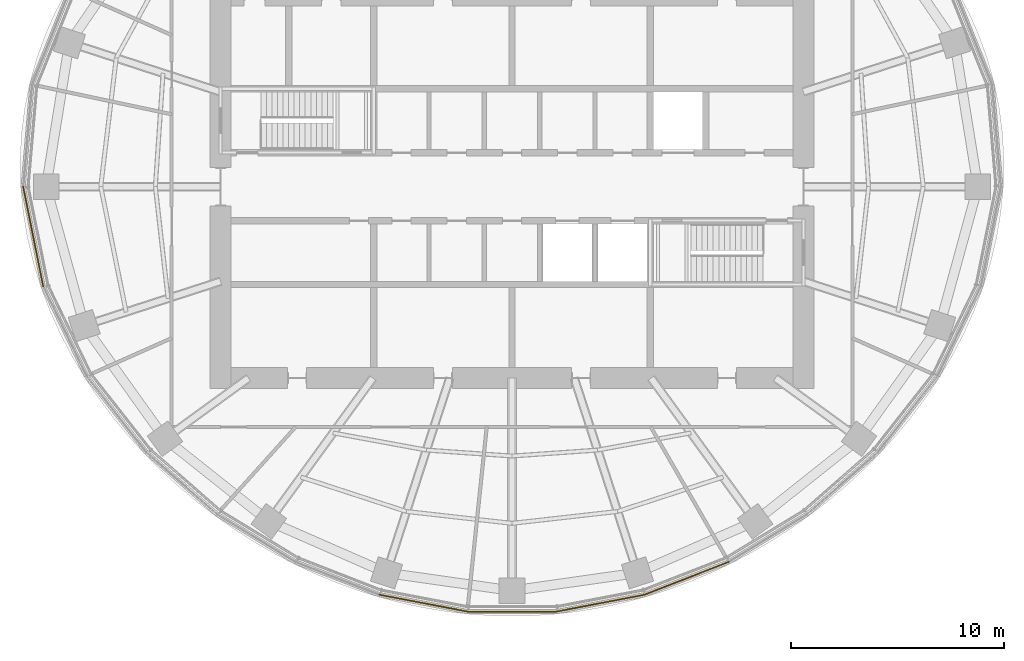
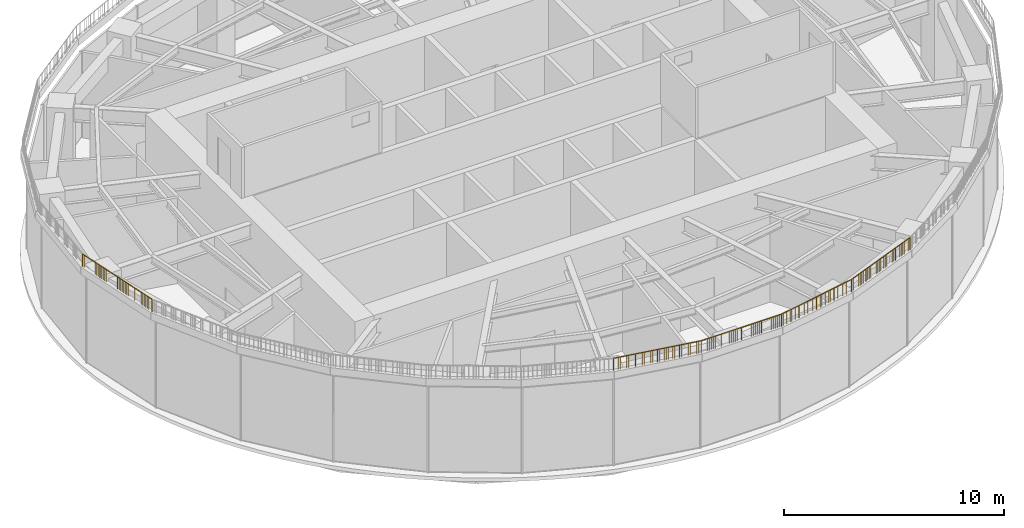
# One storey, part 14 of 19: 5 railings.
"""IFC4 building model written with IfcOpenShell, lengths in metres."""

from ifc_helpers import new_model, si_unit, direction, frame, origin, origin_2d, place, context, subcontext, project, spatial, circle, extrude, material, type_object, element, save


model = new_model("IFC4")

# Units and contexts
model_context = context("Model", 3, precision=1e-05, world=origin(), true_north=direction((0.0, 1.0)))
body_context = subcontext(model_context, "Body", "Model", "MODEL_VIEW")
ifc_project = project(units=[si_unit("LENGTHUNIT", "METRE"), si_unit("AREAUNIT", "SQUARE_METRE"), si_unit("VOLUMEUNIT", "CUBIC_METRE"), si_unit("PLANEANGLEUNIT", "RADIAN"), si_unit("MASSUNIT", "GRAM", prefix="KILO")], contexts=[model_context])

# Site, building, storey
site_placement = place(None, origin())
site = spatial("IfcSite", under=ifc_project, at=site_placement, CompositionType="ELEMENT")
building_placement = place(site_placement, origin())
building = spatial("IfcBuilding", under=site, at=building_placement, Name="Marramba Exchange Tower", CompositionType="ELEMENT")
storey_placement = place(building_placement, frame((0.0, 0.0, 277.0)))
storey = spatial("IfcBuildingStorey", under=building, at=storey_placement, Name="L67", CompositionType="ELEMENT", Elevation=277.0)

# Railings
ifc_material = material(Name="Galvanised steel guardrail", Category="steel")
railing_type = type_object("IfcRailingType", Name="Roof guardrail 1100", PredefinedType="GUARDRAIL", material=ifc_material)
railing_1_placement = place(storey_placement, frame((-22.97998046875, 0.0, 5.39990234375)))
element("IfcRailing", 1, at=railing_1_placement, inside=storey, type_object=railing_type, Name="Roof guard Roof crown F16", PredefinedType="GUARDRAIL", context=body_context, shape_type="SweptSolid", body=[
    extrude(circle(Radius=0.02392578125, at=origin_2d()), frame((0.0, 0.0, 0.67578125), z_axis=(0.196715481336, -0.980460615937, 0.0), x_axis=(0.980460615937, 0.196715481336, 0.0)), (0.0, 0.0, 1.0), 4.778076171875),
    extrude(circle(Radius=0.02099609375, at=origin_2d()), origin(), (0.0, 0.0, 1.0), 0.65185546875),
    extrude(circle(Radius=0.02099609375, at=origin_2d()), frame((0.23486328125, -1.171142578125, 0.0)), (0.0, 0.0, 1.0), 0.65185546875),
    extrude(circle(Radius=0.02099609375, at=origin_2d()), frame((0.469970703125, -2.34228515625, 0.0)), (0.0, 0.0, 1.0), 0.65185546875),
    extrude(circle(Radius=0.02099609375, at=origin_2d()), frame((0.705078125, -3.513671875, 0.0)), (0.0, 0.0, 1.0), 0.65185546875),
    extrude(circle(Radius=0.02099609375, at=origin_2d()), frame((0.93994140625, -4.684814453125, 0.0)), (0.0, 0.0, 1.0), 0.65185546875),
    extrude(circle(Radius=0.006103515625, at=origin_2d()), frame((0.023681640625, -0.118408203125, 0.0)), (0.0, 0.0, 1.0), 0.65185546875),
    extrude(circle(Radius=0.006103515625, at=origin_2d()), frame((0.044677734375, -0.222412109375, 0.0)), (0.0, 0.0, 1.0), 0.65185546875),
    extrude(circle(Radius=0.006103515625, at=origin_2d()), frame((0.0654296875, -0.326171875, 0.0)), (0.0, 0.0, 1.0), 0.65185546875),
    extrude(circle(Radius=0.006103515625, at=origin_2d()), frame((0.086181640625, -0.429931640625, 0.0)), (0.0, 0.0, 1.0), 0.65185546875),
    extrude(circle(Radius=0.006103515625, at=origin_2d()), frame((0.107177734375, -0.53369140625, 0.0)), (0.0, 0.0, 1.0), 0.65185546875),
    extrude(circle(Radius=0.006103515625, at=origin_2d()), frame((0.1279296875, -0.637451171875, 0.0)), (0.0, 0.0, 1.0), 0.65185546875),
    extrude(circle(Radius=0.006103515625, at=origin_2d()), frame((0.148681640625, -0.7412109375, 0.0)), (0.0, 0.0, 1.0), 0.65185546875),
    extrude(circle(Radius=0.006103515625, at=origin_2d()), frame((0.169677734375, -0.84521484375, 0.0)), (0.0, 0.0, 1.0), 0.65185546875),
    extrude(circle(Radius=0.006103515625, at=origin_2d()), frame((0.1904296875, -0.948974609375, 0.0)), (0.0, 0.0, 1.0), 0.65185546875),
    extrude(circle(Radius=0.006103515625, at=origin_2d()), frame((0.211181640625, -1.052734375, 0.0)), (0.0, 0.0, 1.0), 0.65185546875),
    extrude(circle(Radius=0.006103515625, at=origin_2d()), frame((0.2587890625, -1.289794921875, 0.0)), (0.0, 0.0, 1.0), 0.65185546875),
    extrude(circle(Radius=0.006103515625, at=origin_2d()), frame((0.279541015625, -1.3935546875, 0.0)), (0.0, 0.0, 1.0), 0.65185546875),
    extrude(circle(Radius=0.006103515625, at=origin_2d()), frame((0.30029296875, -1.497314453125, 0.0)), (0.0, 0.0, 1.0), 0.65185546875),
    extrude(circle(Radius=0.006103515625, at=origin_2d()), frame((0.3212890625, -1.60107421875, 0.0)), (0.0, 0.0, 1.0), 0.65185546875),
    extrude(circle(Radius=0.006103515625, at=origin_2d()), frame((0.342041015625, -1.704833984375, 0.0)), (0.0, 0.0, 1.0), 0.65185546875),
    extrude(circle(Radius=0.006103515625, at=origin_2d()), frame((0.36279296875, -1.80859375, 0.0)), (0.0, 0.0, 1.0), 0.65185546875),
    extrude(circle(Radius=0.006103515625, at=origin_2d()), frame((0.3837890625, -1.91259765625, 0.0)), (0.0, 0.0, 1.0), 0.65185546875),
    extrude(circle(Radius=0.006103515625, at=origin_2d()), frame((0.404541015625, -2.016357421875, 0.0)), (0.0, 0.0, 1.0), 0.65185546875),
    extrude(circle(Radius=0.006103515625, at=origin_2d()), frame((0.42529296875, -2.1201171875, 0.0)), (0.0, 0.0, 1.0), 0.65185546875),
    extrude(circle(Radius=0.006103515625, at=origin_2d()), frame((0.4462890625, -2.223876953125, 0.0)), (0.0, 0.0, 1.0), 0.65185546875),
    extrude(circle(Radius=0.006103515625, at=origin_2d()), frame((0.49365234375, -2.4609375, 0.0)), (0.0, 0.0, 1.0), 0.65185546875),
    extrude(circle(Radius=0.006103515625, at=origin_2d()), frame((0.5146484375, -2.564697265625, 0.0)), (0.0, 0.0, 1.0), 0.65185546875),
    extrude(circle(Radius=0.006103515625, at=origin_2d()), frame((0.535400390625, -2.66845703125, 0.0)), (0.0, 0.0, 1.0), 0.65185546875),
    extrude(circle(Radius=0.006103515625, at=origin_2d()), frame((0.55615234375, -2.772216796875, 0.0)), (0.0, 0.0, 1.0), 0.65185546875),
    extrude(circle(Radius=0.006103515625, at=origin_2d()), frame((0.5771484375, -2.876220703125, 0.0)), (0.0, 0.0, 1.0), 0.65185546875),
    extrude(circle(Radius=0.006103515625, at=origin_2d()), frame((0.597900390625, -2.97998046875, 0.0)), (0.0, 0.0, 1.0), 0.65185546875),
    extrude(circle(Radius=0.006103515625, at=origin_2d()), frame((0.61865234375, -3.083740234375, 0.0)), (0.0, 0.0, 1.0), 0.65185546875),
    extrude(circle(Radius=0.006103515625, at=origin_2d()), frame((0.6396484375, -3.1875, 0.0)), (0.0, 0.0, 1.0), 0.65185546875),
    extrude(circle(Radius=0.006103515625, at=origin_2d()), frame((0.660400390625, -3.291259765625, 0.0)), (0.0, 0.0, 1.0), 0.65185546875),
    extrude(circle(Radius=0.006103515625, at=origin_2d()), frame((0.68115234375, -3.39501953125, 0.0)), (0.0, 0.0, 1.0), 0.65185546875),
    extrude(circle(Radius=0.006103515625, at=origin_2d()), frame((0.728759765625, -3.632080078125, 0.0)), (0.0, 0.0, 1.0), 0.65185546875),
    extrude(circle(Radius=0.006103515625, at=origin_2d()), frame((0.74951171875, -3.73583984375, 0.0)), (0.0, 0.0, 1.0), 0.65185546875),
    extrude(circle(Radius=0.006103515625, at=origin_2d()), frame((0.770263671875, -3.839599609375, 0.0)), (0.0, 0.0, 1.0), 0.65185546875),
    extrude(circle(Radius=0.006103515625, at=origin_2d()), frame((0.791259765625, -3.943603515625, 0.0)), (0.0, 0.0, 1.0), 0.65185546875),
    extrude(circle(Radius=0.006103515625, at=origin_2d()), frame((0.81201171875, -4.04736328125, 0.0)), (0.0, 0.0, 1.0), 0.65185546875),
    extrude(circle(Radius=0.006103515625, at=origin_2d()), frame((0.832763671875, -4.151123046875, 0.0)), (0.0, 0.0, 1.0), 0.65185546875),
    extrude(circle(Radius=0.006103515625, at=origin_2d()), frame((0.853759765625, -4.2548828125, 0.0)), (0.0, 0.0, 1.0), 0.65185546875),
    extrude(circle(Radius=0.006103515625, at=origin_2d()), frame((0.87451171875, -4.358642578125, 0.0)), (0.0, 0.0, 1.0), 0.65185546875),
    extrude(circle(Radius=0.006103515625, at=origin_2d()), frame((0.895263671875, -4.46240234375, 0.0)), (0.0, 0.0, 1.0), 0.65185546875),
    extrude(circle(Radius=0.006103515625, at=origin_2d()), frame((0.916259765625, -4.56640625, 0.0)), (0.0, 0.0, 1.0), 0.65185546875),
])
railing_2_placement = place(storey_placement, frame((-6.2333984375, -19.18408203125, 5.39990234375)))
element("IfcRailing", 2, at=railing_2_placement, inside=storey, type_object=railing_type, Name="Roof guard Roof crown F22", PredefinedType="GUARDRAIL", context=body_context, shape_type="SweptSolid", body=[
    extrude(circle(Radius=0.02392578125, at=origin_2d()), frame((0.0, 0.0, 0.67578125), z_axis=(0.982147668134, -0.188111557274, 0.0), x_axis=(0.188111557274, 0.982147668134, 0.0)), (0.0, 0.0, 1.0), 4.208984375),
    extrude(circle(Radius=0.02099609375, at=origin_2d()), origin(), (0.0, 0.0, 1.0), 0.65185546875),
    extrude(circle(Radius=0.02099609375, at=origin_2d()), frame((1.033447265625, -0.197998046875, 0.0)), (0.0, 0.0, 1.0), 0.65185546875),
    extrude(circle(Radius=0.02099609375, at=origin_2d()), frame((2.06689453125, -0.39599609375, 0.0)), (0.0, 0.0, 1.0), 0.65185546875),
    extrude(circle(Radius=0.02099609375, at=origin_2d()), frame((3.100341796875, -0.59375, 0.0)), (0.0, 0.0, 1.0), 0.65185546875),
    extrude(circle(Radius=0.02099609375, at=origin_2d()), frame((4.1337890625, -0.791748046875, 0.0)), (0.0, 0.0, 1.0), 0.65185546875),
    extrude(circle(Radius=0.006103515625, at=origin_2d()), frame((0.115234375, -0.02197265625, 0.0)), (0.0, 0.0, 1.0), 0.65185546875),
    extrude(circle(Radius=0.006103515625, at=origin_2d()), frame((0.215576171875, -0.041259765625, 0.0)), (0.0, 0.0, 1.0), 0.65185546875),
    extrude(circle(Radius=0.006103515625, at=origin_2d()), frame((0.31591796875, -0.060546875, 0.0)), (0.0, 0.0, 1.0), 0.65185546875),
    extrude(circle(Radius=0.006103515625, at=origin_2d()), frame((0.416259765625, -0.079833984375, 0.0)), (0.0, 0.0, 1.0), 0.65185546875),
    extrude(circle(Radius=0.006103515625, at=origin_2d()), frame((0.5166015625, -0.098876953125, 0.0)), (0.0, 0.0, 1.0), 0.65185546875),
    extrude(circle(Radius=0.006103515625, at=origin_2d()), frame((0.6171875, -0.1181640625, 0.0)), (0.0, 0.0, 1.0), 0.65185546875),
    extrude(circle(Radius=0.006103515625, at=origin_2d()), frame((0.717529296875, -0.137451171875, 0.0)), (0.0, 0.0, 1.0), 0.65185546875),
    extrude(circle(Radius=0.006103515625, at=origin_2d()), frame((0.81787109375, -0.15673828125, 0.0)), (0.0, 0.0, 1.0), 0.65185546875),
    extrude(circle(Radius=0.006103515625, at=origin_2d()), frame((0.918212890625, -0.17578125, 0.0)), (0.0, 0.0, 1.0), 0.65185546875),
    extrude(circle(Radius=0.006103515625, at=origin_2d()), frame((1.148681640625, -0.219970703125, 0.0)), (0.0, 0.0, 1.0), 0.65185546875),
    extrude(circle(Radius=0.006103515625, at=origin_2d()), frame((1.2490234375, -0.2392578125, 0.0)), (0.0, 0.0, 1.0), 0.65185546875),
    extrude(circle(Radius=0.006103515625, at=origin_2d()), frame((1.349365234375, -0.258544921875, 0.0)), (0.0, 0.0, 1.0), 0.65185546875),
    extrude(circle(Radius=0.006103515625, at=origin_2d()), frame((1.44970703125, -0.277587890625, 0.0)), (0.0, 0.0, 1.0), 0.65185546875),
    extrude(circle(Radius=0.006103515625, at=origin_2d()), frame((1.55029296875, -0.296875, 0.0)), (0.0, 0.0, 1.0), 0.65185546875),
    extrude(circle(Radius=0.006103515625, at=origin_2d()), frame((1.650634765625, -0.316162109375, 0.0)), (0.0, 0.0, 1.0), 0.65185546875),
    extrude(circle(Radius=0.006103515625, at=origin_2d()), frame((1.7509765625, -0.33544921875, 0.0)), (0.0, 0.0, 1.0), 0.65185546875),
    extrude(circle(Radius=0.006103515625, at=origin_2d()), frame((1.851318359375, -0.3544921875, 0.0)), (0.0, 0.0, 1.0), 0.65185546875),
    extrude(circle(Radius=0.006103515625, at=origin_2d()), frame((1.95166015625, -0.373779296875, 0.0)), (0.0, 0.0, 1.0), 0.65185546875),
    extrude(circle(Radius=0.006103515625, at=origin_2d()), frame((2.18212890625, -0.41796875, 0.0)), (0.0, 0.0, 1.0), 0.65185546875),
    extrude(circle(Radius=0.006103515625, at=origin_2d()), frame((2.282470703125, -0.437255859375, 0.0)), (0.0, 0.0, 1.0), 0.65185546875),
    extrude(circle(Radius=0.006103515625, at=origin_2d()), frame((2.3828125, -0.456298828125, 0.0)), (0.0, 0.0, 1.0), 0.65185546875),
    extrude(circle(Radius=0.006103515625, at=origin_2d()), frame((2.483154296875, -0.4755859375, 0.0)), (0.0, 0.0, 1.0), 0.65185546875),
    extrude(circle(Radius=0.006103515625, at=origin_2d()), frame((2.58349609375, -0.494873046875, 0.0)), (0.0, 0.0, 1.0), 0.65185546875),
    extrude(circle(Radius=0.006103515625, at=origin_2d()), frame((2.68408203125, -0.51416015625, 0.0)), (0.0, 0.0, 1.0), 0.65185546875),
    extrude(circle(Radius=0.006103515625, at=origin_2d()), frame((2.784423828125, -0.533203125, 0.0)), (0.0, 0.0, 1.0), 0.65185546875),
    extrude(circle(Radius=0.006103515625, at=origin_2d()), frame((2.884765625, -0.552490234375, 0.0)), (0.0, 0.0, 1.0), 0.65185546875),
    extrude(circle(Radius=0.006103515625, at=origin_2d()), frame((2.985107421875, -0.57177734375, 0.0)), (0.0, 0.0, 1.0), 0.65185546875),
    extrude(circle(Radius=0.006103515625, at=origin_2d()), frame((3.215576171875, -0.615966796875, 0.0)), (0.0, 0.0, 1.0), 0.65185546875),
    extrude(circle(Radius=0.006103515625, at=origin_2d()), frame((3.31591796875, -0.635009765625, 0.0)), (0.0, 0.0, 1.0), 0.65185546875),
    extrude(circle(Radius=0.006103515625, at=origin_2d()), frame((3.416259765625, -0.654296875, 0.0)), (0.0, 0.0, 1.0), 0.65185546875),
    extrude(circle(Radius=0.006103515625, at=origin_2d()), frame((3.5166015625, -0.673583984375, 0.0)), (0.0, 0.0, 1.0), 0.65185546875),
    extrude(circle(Radius=0.006103515625, at=origin_2d()), frame((3.6171875, -0.69287109375, 0.0)), (0.0, 0.0, 1.0), 0.65185546875),
    extrude(circle(Radius=0.006103515625, at=origin_2d()), frame((3.717529296875, -0.7119140625, 0.0)), (0.0, 0.0, 1.0), 0.65185546875),
    extrude(circle(Radius=0.006103515625, at=origin_2d()), frame((3.81787109375, -0.731201171875, 0.0)), (0.0, 0.0, 1.0), 0.65185546875),
    extrude(circle(Radius=0.006103515625, at=origin_2d()), frame((3.918212890625, -0.75048828125, 0.0)), (0.0, 0.0, 1.0), 0.65185546875),
    extrude(circle(Radius=0.006103515625, at=origin_2d()), frame((4.0185546875, -0.769775390625, 0.0)), (0.0, 0.0, 1.0), 0.65185546875),
])
railing_3_placement = place(storey_placement, frame((-2.099609375, -19.975830078125, 5.39990234375)))
element("IfcRailing", 3, at=railing_3_placement, inside=storey, type_object=railing_type, Name="Roof guard Roof crown F23", PredefinedType="GUARDRAIL", context=body_context, shape_type="SweptSolid", body=[
    extrude(circle(Radius=0.02392578125, at=origin_2d()), frame((0.0, 0.0, 0.67578125), z_axis=(1.0, 0.0, 0.0), x_axis=(0.0, 1.0, 0.0)), (0.0, 0.0, 1.0), 4.19921875),
    extrude(circle(Radius=0.02099609375, at=origin_2d()), origin(), (0.0, 0.0, 1.0), 0.65185546875),
    extrude(circle(Radius=0.02099609375, at=origin_2d()), frame((1.0498046875, 0.0, 0.0)), (0.0, 0.0, 1.0), 0.65185546875),
    extrude(circle(Radius=0.02099609375, at=origin_2d()), frame((2.099609375, 0.0, 0.0)), (0.0, 0.0, 1.0), 0.65185546875),
    extrude(circle(Radius=0.02099609375, at=origin_2d()), frame((3.1494140625, 0.0, 0.0)), (0.0, 0.0, 1.0), 0.65185546875),
    extrude(circle(Radius=0.02099609375, at=origin_2d()), frame((4.19921875, 0.0, 0.0)), (0.0, 0.0, 1.0), 0.65185546875),
    extrude(circle(Radius=0.006103515625, at=origin_2d()), frame((0.116943359375, 0.0, 0.0)), (0.0, 0.0, 1.0), 0.65185546875),
    extrude(circle(Radius=0.006103515625, at=origin_2d()), frame((0.218994140625, 0.0, 0.0)), (0.0, 0.0, 1.0), 0.65185546875),
    extrude(circle(Radius=0.006103515625, at=origin_2d()), frame((0.321044921875, 0.0, 0.0)), (0.0, 0.0, 1.0), 0.65185546875),
    extrude(circle(Radius=0.006103515625, at=origin_2d()), frame((0.4228515625, 0.0, 0.0)), (0.0, 0.0, 1.0), 0.65185546875),
    extrude(circle(Radius=0.006103515625, at=origin_2d()), frame((0.52490234375, 0.0, 0.0)), (0.0, 0.0, 1.0), 0.65185546875),
    extrude(circle(Radius=0.006103515625, at=origin_2d()), frame((0.626953125, 0.0, 0.0)), (0.0, 0.0, 1.0), 0.65185546875),
    extrude(circle(Radius=0.006103515625, at=origin_2d()), frame((0.728759765625, 0.0, 0.0)), (0.0, 0.0, 1.0), 0.65185546875),
    extrude(circle(Radius=0.006103515625, at=origin_2d()), frame((0.830810546875, 0.0, 0.0)), (0.0, 0.0, 1.0), 0.65185546875),
    extrude(circle(Radius=0.006103515625, at=origin_2d()), frame((0.932861328125, 0.0, 0.0)), (0.0, 0.0, 1.0), 0.65185546875),
    extrude(circle(Radius=0.006103515625, at=origin_2d()), frame((1.166748046875, 0.0, 0.0)), (0.0, 0.0, 1.0), 0.65185546875),
    extrude(circle(Radius=0.006103515625, at=origin_2d()), frame((1.268798828125, 0.0, 0.0)), (0.0, 0.0, 1.0), 0.65185546875),
    extrude(circle(Radius=0.006103515625, at=origin_2d()), frame((1.370849609375, 0.0, 0.0)), (0.0, 0.0, 1.0), 0.65185546875),
    extrude(circle(Radius=0.006103515625, at=origin_2d()), frame((1.47265625, 0.0, 0.0)), (0.0, 0.0, 1.0), 0.65185546875),
    extrude(circle(Radius=0.006103515625, at=origin_2d()), frame((1.57470703125, 0.0, 0.0)), (0.0, 0.0, 1.0), 0.65185546875),
    extrude(circle(Radius=0.006103515625, at=origin_2d()), frame((1.6767578125, 0.0, 0.0)), (0.0, 0.0, 1.0), 0.65185546875),
    extrude(circle(Radius=0.006103515625, at=origin_2d()), frame((1.778564453125, 0.0, 0.0)), (0.0, 0.0, 1.0), 0.65185546875),
    extrude(circle(Radius=0.006103515625, at=origin_2d()), frame((1.880615234375, 0.0, 0.0)), (0.0, 0.0, 1.0), 0.65185546875),
    extrude(circle(Radius=0.006103515625, at=origin_2d()), frame((1.982666015625, 0.0, 0.0)), (0.0, 0.0, 1.0), 0.65185546875),
    extrude(circle(Radius=0.006103515625, at=origin_2d()), frame((2.216552734375, 0.0, 0.0)), (0.0, 0.0, 1.0), 0.65185546875),
    extrude(circle(Radius=0.006103515625, at=origin_2d()), frame((2.318603515625, 0.0, 0.0)), (0.0, 0.0, 1.0), 0.65185546875),
    extrude(circle(Radius=0.006103515625, at=origin_2d()), frame((2.420654296875, 0.0, 0.0)), (0.0, 0.0, 1.0), 0.65185546875),
    extrude(circle(Radius=0.006103515625, at=origin_2d()), frame((2.5224609375, 0.0, 0.0)), (0.0, 0.0, 1.0), 0.65185546875),
    extrude(circle(Radius=0.006103515625, at=origin_2d()), frame((2.62451171875, 0.0, 0.0)), (0.0, 0.0, 1.0), 0.65185546875),
    extrude(circle(Radius=0.006103515625, at=origin_2d()), frame((2.7265625, 0.0, 0.0)), (0.0, 0.0, 1.0), 0.65185546875),
    extrude(circle(Radius=0.006103515625, at=origin_2d()), frame((2.828369140625, 0.0, 0.0)), (0.0, 0.0, 1.0), 0.65185546875),
    extrude(circle(Radius=0.006103515625, at=origin_2d()), frame((2.930419921875, 0.0, 0.0)), (0.0, 0.0, 1.0), 0.65185546875),
    extrude(circle(Radius=0.006103515625, at=origin_2d()), frame((3.032470703125, 0.0, 0.0)), (0.0, 0.0, 1.0), 0.65185546875),
    extrude(circle(Radius=0.006103515625, at=origin_2d()), frame((3.266357421875, 0.0, 0.0)), (0.0, 0.0, 1.0), 0.65185546875),
    extrude(circle(Radius=0.006103515625, at=origin_2d()), frame((3.368408203125, 0.0, 0.0)), (0.0, 0.0, 1.0), 0.65185546875),
    extrude(circle(Radius=0.006103515625, at=origin_2d()), frame((3.470458984375, 0.0, 0.0)), (0.0, 0.0, 1.0), 0.65185546875),
    extrude(circle(Radius=0.006103515625, at=origin_2d()), frame((3.572265625, 0.0, 0.0)), (0.0, 0.0, 1.0), 0.65185546875),
    extrude(circle(Radius=0.006103515625, at=origin_2d()), frame((3.67431640625, 0.0, 0.0)), (0.0, 0.0, 1.0), 0.65185546875),
    extrude(circle(Radius=0.006103515625, at=origin_2d()), frame((3.7763671875, 0.0, 0.0)), (0.0, 0.0, 1.0), 0.65185546875),
    extrude(circle(Radius=0.006103515625, at=origin_2d()), frame((3.878173828125, 0.0, 0.0)), (0.0, 0.0, 1.0), 0.65185546875),
    extrude(circle(Radius=0.006103515625, at=origin_2d()), frame((3.980224609375, 0.0, 0.0)), (0.0, 0.0, 1.0), 0.65185546875),
    extrude(circle(Radius=0.006103515625, at=origin_2d()), frame((4.082275390625, 0.0, 0.0)), (0.0, 0.0, 1.0), 0.65185546875),
])
railing_4_placement = place(storey_placement, frame((2.099609375, -19.975830078125, 5.39990234375)))
element("IfcRailing", 4, at=railing_4_placement, inside=storey, type_object=railing_type, Name="Roof guard Roof crown F24", PredefinedType="GUARDRAIL", context=body_context, shape_type="SweptSolid", body=[
    extrude(circle(Radius=0.02392578125, at=origin_2d()), frame((0.0, 0.0, 0.67578125), z_axis=(0.982147668134, 0.188111557274, 0.0), x_axis=(-0.188111557274, 0.982147668134, 0.0)), (0.0, 0.0, 1.0), 4.208984375),
    extrude(circle(Radius=0.02099609375, at=origin_2d()), origin(), (0.0, 0.0, 1.0), 0.65185546875),
    extrude(circle(Radius=0.02099609375, at=origin_2d()), frame((1.033447265625, 0.197998046875, 0.0)), (0.0, 0.0, 1.0), 0.65185546875),
    extrude(circle(Radius=0.02099609375, at=origin_2d()), frame((2.06689453125, 0.39599609375, 0.0)), (0.0, 0.0, 1.0), 0.65185546875),
    extrude(circle(Radius=0.02099609375, at=origin_2d()), frame((3.100341796875, 0.59375, 0.0)), (0.0, 0.0, 1.0), 0.65185546875),
    extrude(circle(Radius=0.02099609375, at=origin_2d()), frame((4.1337890625, 0.791748046875, 0.0)), (0.0, 0.0, 1.0), 0.65185546875),
    extrude(circle(Radius=0.006103515625, at=origin_2d()), frame((0.115234375, 0.02197265625, 0.0)), (0.0, 0.0, 1.0), 0.65185546875),
    extrude(circle(Radius=0.006103515625, at=origin_2d()), frame((0.215576171875, 0.041259765625, 0.0)), (0.0, 0.0, 1.0), 0.65185546875),
    extrude(circle(Radius=0.006103515625, at=origin_2d()), frame((0.31591796875, 0.060546875, 0.0)), (0.0, 0.0, 1.0), 0.65185546875),
    extrude(circle(Radius=0.006103515625, at=origin_2d()), frame((0.416259765625, 0.079833984375, 0.0)), (0.0, 0.0, 1.0), 0.65185546875),
    extrude(circle(Radius=0.006103515625, at=origin_2d()), frame((0.5166015625, 0.098876953125, 0.0)), (0.0, 0.0, 1.0), 0.65185546875),
    extrude(circle(Radius=0.006103515625, at=origin_2d()), frame((0.6171875, 0.1181640625, 0.0)), (0.0, 0.0, 1.0), 0.65185546875),
    extrude(circle(Radius=0.006103515625, at=origin_2d()), frame((0.717529296875, 0.137451171875, 0.0)), (0.0, 0.0, 1.0), 0.65185546875),
    extrude(circle(Radius=0.006103515625, at=origin_2d()), frame((0.81787109375, 0.15673828125, 0.0)), (0.0, 0.0, 1.0), 0.65185546875),
    extrude(circle(Radius=0.006103515625, at=origin_2d()), frame((0.918212890625, 0.17578125, 0.0)), (0.0, 0.0, 1.0), 0.65185546875),
    extrude(circle(Radius=0.006103515625, at=origin_2d()), frame((1.148681640625, 0.219970703125, 0.0)), (0.0, 0.0, 1.0), 0.65185546875),
    extrude(circle(Radius=0.006103515625, at=origin_2d()), frame((1.2490234375, 0.2392578125, 0.0)), (0.0, 0.0, 1.0), 0.65185546875),
    extrude(circle(Radius=0.006103515625, at=origin_2d()), frame((1.349365234375, 0.258544921875, 0.0)), (0.0, 0.0, 1.0), 0.65185546875),
    extrude(circle(Radius=0.006103515625, at=origin_2d()), frame((1.44970703125, 0.277587890625, 0.0)), (0.0, 0.0, 1.0), 0.65185546875),
    extrude(circle(Radius=0.006103515625, at=origin_2d()), frame((1.55029296875, 0.296875, 0.0)), (0.0, 0.0, 1.0), 0.65185546875),
    extrude(circle(Radius=0.006103515625, at=origin_2d()), frame((1.650634765625, 0.316162109375, 0.0)), (0.0, 0.0, 1.0), 0.65185546875),
    extrude(circle(Radius=0.006103515625, at=origin_2d()), frame((1.7509765625, 0.33544921875, 0.0)), (0.0, 0.0, 1.0), 0.65185546875),
    extrude(circle(Radius=0.006103515625, at=origin_2d()), frame((1.851318359375, 0.3544921875, 0.0)), (0.0, 0.0, 1.0), 0.65185546875),
    extrude(circle(Radius=0.006103515625, at=origin_2d()), frame((1.95166015625, 0.373779296875, 0.0)), (0.0, 0.0, 1.0), 0.65185546875),
    extrude(circle(Radius=0.006103515625, at=origin_2d()), frame((2.18212890625, 0.41796875, 0.0)), (0.0, 0.0, 1.0), 0.65185546875),
    extrude(circle(Radius=0.006103515625, at=origin_2d()), frame((2.282470703125, 0.437255859375, 0.0)), (0.0, 0.0, 1.0), 0.65185546875),
    extrude(circle(Radius=0.006103515625, at=origin_2d()), frame((2.3828125, 0.456298828125, 0.0)), (0.0, 0.0, 1.0), 0.65185546875),
    extrude(circle(Radius=0.006103515625, at=origin_2d()), frame((2.483154296875, 0.4755859375, 0.0)), (0.0, 0.0, 1.0), 0.65185546875),
    extrude(circle(Radius=0.006103515625, at=origin_2d()), frame((2.58349609375, 0.494873046875, 0.0)), (0.0, 0.0, 1.0), 0.65185546875),
    extrude(circle(Radius=0.006103515625, at=origin_2d()), frame((2.68408203125, 0.51416015625, 0.0)), (0.0, 0.0, 1.0), 0.65185546875),
    extrude(circle(Radius=0.006103515625, at=origin_2d()), frame((2.784423828125, 0.533203125, 0.0)), (0.0, 0.0, 1.0), 0.65185546875),
    extrude(circle(Radius=0.006103515625, at=origin_2d()), frame((2.884765625, 0.552490234375, 0.0)), (0.0, 0.0, 1.0), 0.65185546875),
    extrude(circle(Radius=0.006103515625, at=origin_2d()), frame((2.985107421875, 0.57177734375, 0.0)), (0.0, 0.0, 1.0), 0.65185546875),
    extrude(circle(Radius=0.006103515625, at=origin_2d()), frame((3.215576171875, 0.615966796875, 0.0)), (0.0, 0.0, 1.0), 0.65185546875),
    extrude(circle(Radius=0.006103515625, at=origin_2d()), frame((3.31591796875, 0.635009765625, 0.0)), (0.0, 0.0, 1.0), 0.65185546875),
    extrude(circle(Radius=0.006103515625, at=origin_2d()), frame((3.416259765625, 0.654296875, 0.0)), (0.0, 0.0, 1.0), 0.65185546875),
    extrude(circle(Radius=0.006103515625, at=origin_2d()), frame((3.5166015625, 0.673583984375, 0.0)), (0.0, 0.0, 1.0), 0.65185546875),
    extrude(circle(Radius=0.006103515625, at=origin_2d()), frame((3.6171875, 0.69287109375, 0.0)), (0.0, 0.0, 1.0), 0.65185546875),
    extrude(circle(Radius=0.006103515625, at=origin_2d()), frame((3.717529296875, 0.7119140625, 0.0)), (0.0, 0.0, 1.0), 0.65185546875),
    extrude(circle(Radius=0.006103515625, at=origin_2d()), frame((3.81787109375, 0.731201171875, 0.0)), (0.0, 0.0, 1.0), 0.65185546875),
    extrude(circle(Radius=0.006103515625, at=origin_2d()), frame((3.918212890625, 0.75048828125, 0.0)), (0.0, 0.0, 1.0), 0.65185546875),
    extrude(circle(Radius=0.006103515625, at=origin_2d()), frame((4.0185546875, 0.769775390625, 0.0)), (0.0, 0.0, 1.0), 0.65185546875),
])
railing_5_placement = place(storey_placement, frame((6.2333984375, -19.18408203125, 5.39990234375)))
element("IfcRailing", 5, at=railing_5_placement, inside=storey, type_object=railing_type, Name="Roof guard Roof crown F25", PredefinedType="GUARDRAIL", context=body_context, shape_type="SweptSolid", body=[
    extrude(circle(Radius=0.02392578125, at=origin_2d()), frame((0.0, 0.0, 0.67578125), z_axis=(0.931602336342, 0.363479142348, 0.0), x_axis=(-0.363479142348, 0.931602336342, 0.0)), (0.0, 0.0, 1.0), 4.242431640625),
    extrude(circle(Radius=0.02099609375, at=origin_2d()), origin(), (0.0, 0.0, 1.0), 0.65185546875),
    extrude(circle(Radius=0.02099609375, at=origin_2d()), frame((0.988037109375, 0.385498046875, 0.0)), (0.0, 0.0, 1.0), 0.65185546875),
    extrude(circle(Radius=0.02099609375, at=origin_2d()), frame((1.97607421875, 0.77099609375, 0.0)), (0.0, 0.0, 1.0), 0.65185546875),
    extrude(circle(Radius=0.02099609375, at=origin_2d()), frame((2.964111328125, 1.156494140625, 0.0)), (0.0, 0.0, 1.0), 0.65185546875),
    extrude(circle(Radius=0.02099609375, at=origin_2d()), frame((3.9521484375, 1.5419921875, 0.0)), (0.0, 0.0, 1.0), 0.65185546875),
    extrude(circle(Radius=0.006103515625, at=origin_2d()), frame((0.10986328125, 0.04296875, 0.0)), (0.0, 0.0, 1.0), 0.65185546875),
    extrude(circle(Radius=0.006103515625, at=origin_2d()), frame((0.2060546875, 0.080322265625, 0.0)), (0.0, 0.0, 1.0), 0.65185546875),
    extrude(circle(Radius=0.006103515625, at=origin_2d()), frame((0.302001953125, 0.117919921875, 0.0)), (0.0, 0.0, 1.0), 0.65185546875),
    extrude(circle(Radius=0.006103515625, at=origin_2d()), frame((0.39794921875, 0.1552734375, 0.0)), (0.0, 0.0, 1.0), 0.65185546875),
    extrude(circle(Radius=0.006103515625, at=origin_2d()), frame((0.494140625, 0.19287109375, 0.0)), (0.0, 0.0, 1.0), 0.65185546875),
    extrude(circle(Radius=0.006103515625, at=origin_2d()), frame((0.590087890625, 0.230224609375, 0.0)), (0.0, 0.0, 1.0), 0.65185546875),
    extrude(circle(Radius=0.006103515625, at=origin_2d()), frame((0.68603515625, 0.267578125, 0.0)), (0.0, 0.0, 1.0), 0.65185546875),
    extrude(circle(Radius=0.006103515625, at=origin_2d()), frame((0.781982421875, 0.30517578125, 0.0)), (0.0, 0.0, 1.0), 0.65185546875),
    extrude(circle(Radius=0.006103515625, at=origin_2d()), frame((0.878173828125, 0.342529296875, 0.0)), (0.0, 0.0, 1.0), 0.65185546875),
    extrude(circle(Radius=0.006103515625, at=origin_2d()), frame((1.097900390625, 0.428466796875, 0.0)), (0.0, 0.0, 1.0), 0.65185546875),
    extrude(circle(Radius=0.006103515625, at=origin_2d()), frame((1.194091796875, 0.4658203125, 0.0)), (0.0, 0.0, 1.0), 0.65185546875),
    extrude(circle(Radius=0.006103515625, at=origin_2d()), frame((1.2900390625, 0.50341796875, 0.0)), (0.0, 0.0, 1.0), 0.65185546875),
    extrude(circle(Radius=0.006103515625, at=origin_2d()), frame((1.385986328125, 0.540771484375, 0.0)), (0.0, 0.0, 1.0), 0.65185546875),
    extrude(circle(Radius=0.006103515625, at=origin_2d()), frame((1.48193359375, 0.578125, 0.0)), (0.0, 0.0, 1.0), 0.65185546875),
    extrude(circle(Radius=0.006103515625, at=origin_2d()), frame((1.578125, 0.61572265625, 0.0)), (0.0, 0.0, 1.0), 0.65185546875),
    extrude(circle(Radius=0.006103515625, at=origin_2d()), frame((1.674072265625, 0.653076171875, 0.0)), (0.0, 0.0, 1.0), 0.65185546875),
    extrude(circle(Radius=0.006103515625, at=origin_2d()), frame((1.77001953125, 0.690673828125, 0.0)), (0.0, 0.0, 1.0), 0.65185546875),
    extrude(circle(Radius=0.006103515625, at=origin_2d()), frame((1.8662109375, 0.72802734375, 0.0)), (0.0, 0.0, 1.0), 0.65185546875),
    extrude(circle(Radius=0.006103515625, at=origin_2d()), frame((2.0859375, 0.81396484375, 0.0)), (0.0, 0.0, 1.0), 0.65185546875),
    extrude(circle(Radius=0.006103515625, at=origin_2d()), frame((2.18212890625, 0.851318359375, 0.0)), (0.0, 0.0, 1.0), 0.65185546875),
    extrude(circle(Radius=0.006103515625, at=origin_2d()), frame((2.278076171875, 0.888916015625, 0.0)), (0.0, 0.0, 1.0), 0.65185546875),
    extrude(circle(Radius=0.006103515625, at=origin_2d()), frame((2.3740234375, 0.92626953125, 0.0)), (0.0, 0.0, 1.0), 0.65185546875),
    extrude(circle(Radius=0.006103515625, at=origin_2d()), frame((2.47021484375, 0.9638671875, 0.0)), (0.0, 0.0, 1.0), 0.65185546875),
    extrude(circle(Radius=0.006103515625, at=origin_2d()), frame((2.566162109375, 1.001220703125, 0.0)), (0.0, 0.0, 1.0), 0.65185546875),
    extrude(circle(Radius=0.006103515625, at=origin_2d()), frame((2.662109375, 1.03857421875, 0.0)), (0.0, 0.0, 1.0), 0.65185546875),
    extrude(circle(Radius=0.006103515625, at=origin_2d()), frame((2.758056640625, 1.076171875, 0.0)), (0.0, 0.0, 1.0), 0.65185546875),
    extrude(circle(Radius=0.006103515625, at=origin_2d()), frame((2.854248046875, 1.113525390625, 0.0)), (0.0, 0.0, 1.0), 0.65185546875),
    extrude(circle(Radius=0.006103515625, at=origin_2d()), frame((3.073974609375, 1.199462890625, 0.0)), (0.0, 0.0, 1.0), 0.65185546875),
    extrude(circle(Radius=0.006103515625, at=origin_2d()), frame((3.170166015625, 1.23681640625, 0.0)), (0.0, 0.0, 1.0), 0.65185546875),
    extrude(circle(Radius=0.006103515625, at=origin_2d()), frame((3.26611328125, 1.2744140625, 0.0)), (0.0, 0.0, 1.0), 0.65185546875),
    extrude(circle(Radius=0.006103515625, at=origin_2d()), frame((3.362060546875, 1.311767578125, 0.0)), (0.0, 0.0, 1.0), 0.65185546875),
    extrude(circle(Radius=0.006103515625, at=origin_2d()), frame((3.4580078125, 1.34912109375, 0.0)), (0.0, 0.0, 1.0), 0.65185546875),
    extrude(circle(Radius=0.006103515625, at=origin_2d()), frame((3.55419921875, 1.38671875, 0.0)), (0.0, 0.0, 1.0), 0.65185546875),
    extrude(circle(Radius=0.006103515625, at=origin_2d()), frame((3.650146484375, 1.424072265625, 0.0)), (0.0, 0.0, 1.0), 0.65185546875),
    extrude(circle(Radius=0.006103515625, at=origin_2d()), frame((3.74609375, 1.461669921875, 0.0)), (0.0, 0.0, 1.0), 0.65185546875),
    extrude(circle(Radius=0.006103515625, at=origin_2d()), frame((3.84228515625, 1.4990234375, 0.0)), (0.0, 0.0, 1.0), 0.65185546875),
])

save(model, "model.ifc")
